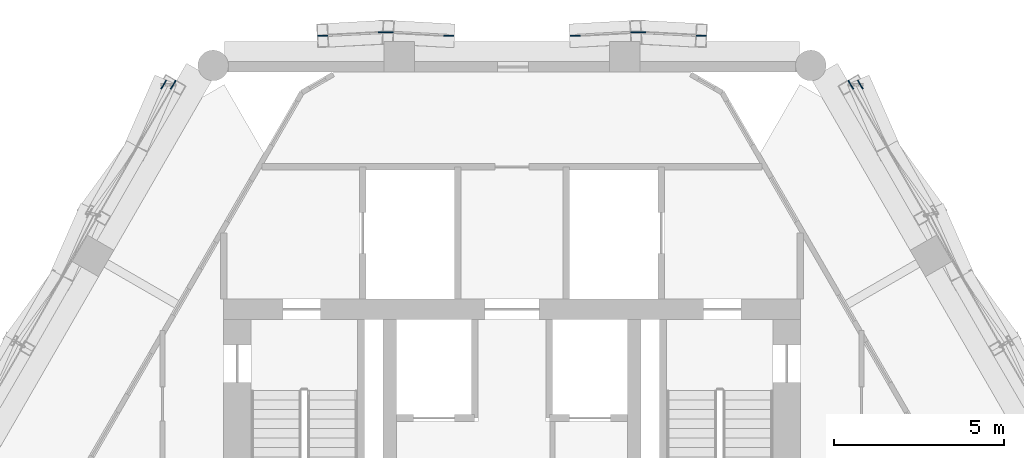
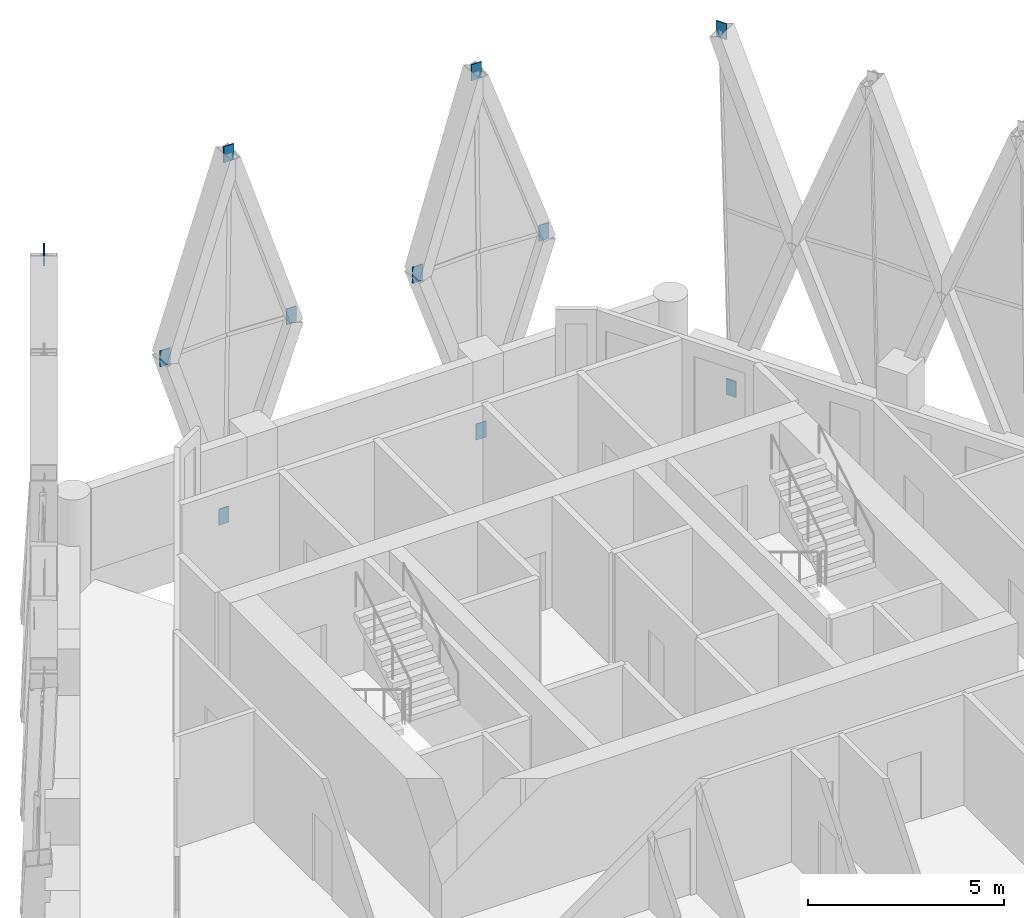
# One storey, part 21 of 22: 12 discrete accessories.
"""IFC4 building model written with IfcOpenShell, lengths in metres."""

from ifc_helpers import new_model, si_unit, direction, frame, origin, origin_2d, place, context, subcontext, project, spatial, rectangle, extrude, material, layer, layer_set, type_object, element, save


model = new_model("IFC4")

# Units and contexts
model_context = context("Model", 3, precision=1e-05, world=origin(), true_north=direction((0.0, 1.0)))
body_context = subcontext(model_context, "Body", "Model", "MODEL_VIEW")
ifc_project = project(units=[si_unit("LENGTHUNIT", "METRE"), si_unit("AREAUNIT", "SQUARE_METRE"), si_unit("VOLUMEUNIT", "CUBIC_METRE"), si_unit("PLANEANGLEUNIT", "RADIAN"), si_unit("MASSUNIT", "GRAM", prefix="KILO")], contexts=[model_context])

# Site, building, storey
site_placement = place(None, origin())
site = spatial("IfcSite", under=ifc_project, at=site_placement, CompositionType="ELEMENT")
building_placement = place(site_placement, origin())
building = spatial("IfcBuilding", under=site, at=building_placement, Name="Ostrander Bayou Hotel Tower", CompositionType="ELEMENT")
storey_placement = place(building_placement, frame((0.0, 0.0, 245.0)))
storey = spatial("IfcBuildingStorey", under=building, at=storey_placement, Name="L60", CompositionType="ELEMENT", Elevation=245.0)

# Discrete accessories
ifc_material = material(Name="Steel ASTM A572 Gr 50", Category="steel")
ifc_layer = layer(ifc_material, 0.030029296875)
ifc_layer_set = layer_set([ifc_layer], Name="GP1 gusset plate 30 mm")
discrete_accessory_type = type_object("IfcDiscreteAccessoryType", Name="GP1 gusset plate 30 mm", PredefinedType="BRACKET", material=ifc_layer_set)
for number, where, z_axis, x_axis, name in (
    (1, (5.581787109375, 17.470703125, 4.77490234375), (0.0, 0.0, 1.0), (-1.0, 0.0, 0.0), "GP1 gusset plate lat 377"),
    (2, (3.7919921875, 17.570068359375, -0.85009765625), (0.0, 0.0, 1.0), (-1.0, 0.0, 0.0), "GP1 gusset plate lat 378"),
    (3, (3.650390625, 17.570068359375, 10.39990234375), (0.0, 0.0, 1.0), (-1.0, 0.0, 0.0), "GP1 gusset plate lat 379"),
    (4, (1.860595703125, 17.470703125, 4.77490234375), (0.0, 0.0, 1.0), (-1.0, 0.0, 0.0), "GP1 gusset plate lat 380"),
    (5, (-1.860595703125, 17.470703125, 4.77490234375), (0.0, 0.0, 1.0), (-1.0, 0.0, 0.0), "GP1 gusset plate lat 381"),
    (6, (-3.7919921875, 17.570068359375, -0.85009765625), (0.0, 0.0, 1.0), (-1.0, 0.0, 0.0), "GP1 gusset plate lat 382"),
    (7, (-3.650390625, 17.570068359375, 10.39990234375), (0.0, 0.0, 1.0), (-1.0, 0.0, 0.0), "GP1 gusset plate lat 383"),
    (8, (-5.581787109375, 17.470703125, 4.77490234375), (0.0, 0.0, 1.0), (-1.0, 0.0, 0.0), "GP1 gusset plate lat 384"),
    (9, (-10.271240234375, 16.0185546875, -0.85009765625), (0.0, 0.0, 1.0), (-0.5, -0.866025403784, 0.0), "GP1 gusset plate lat 386"),
    (10, (-9.98779296875, 16.0185546875, 10.39990234375), (0.0, 0.0, 1.0), (-0.5, -0.866025403784, 0.0), "GP1 gusset plate lat 387"),
    (11, (10.271240234375, 16.0185546875, -0.85009765625), (0.0, 0.0, 1.0), (-0.5, 0.866025403784, 0.0), "GP1 gusset plate lat 453"),
    (12, (9.98779296875, 16.0185546875, 10.39990234375), (0.0, 0.0, 1.0), (-0.5, 0.866025403784, 0.0), "GP1 gusset plate lat 454"),
):
    element("IfcDiscreteAccessory", number, at=place(storey_placement, frame(where, z_axis=z_axis, x_axis=x_axis)), inside=storey, type_object=discrete_accessory_type, Name=name, PredefinedType="BRACKET", context=body_context, shape_type="SweptSolid", body=[
        extrude(rectangle(XDim=0.300048828125, YDim=0.030029296875, at=origin_2d()), origin(), (0.0, 0.0, 1.0), 0.5),
    ])

save(model, "model.ifc")
